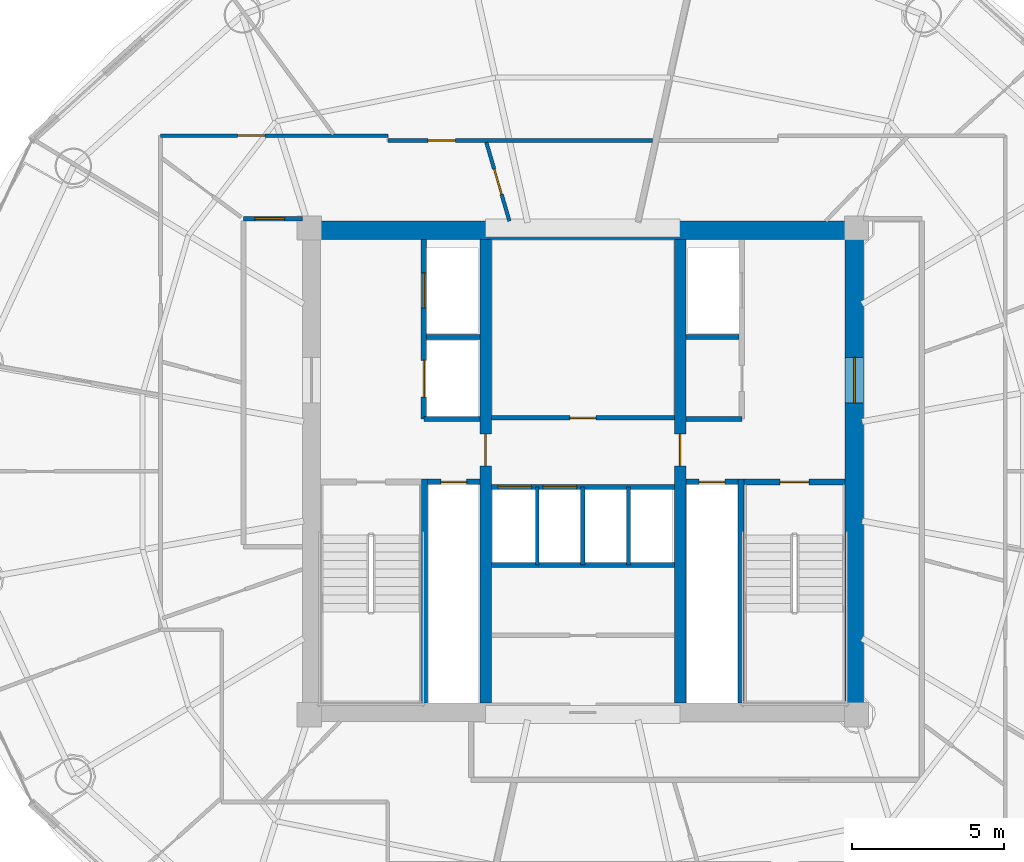
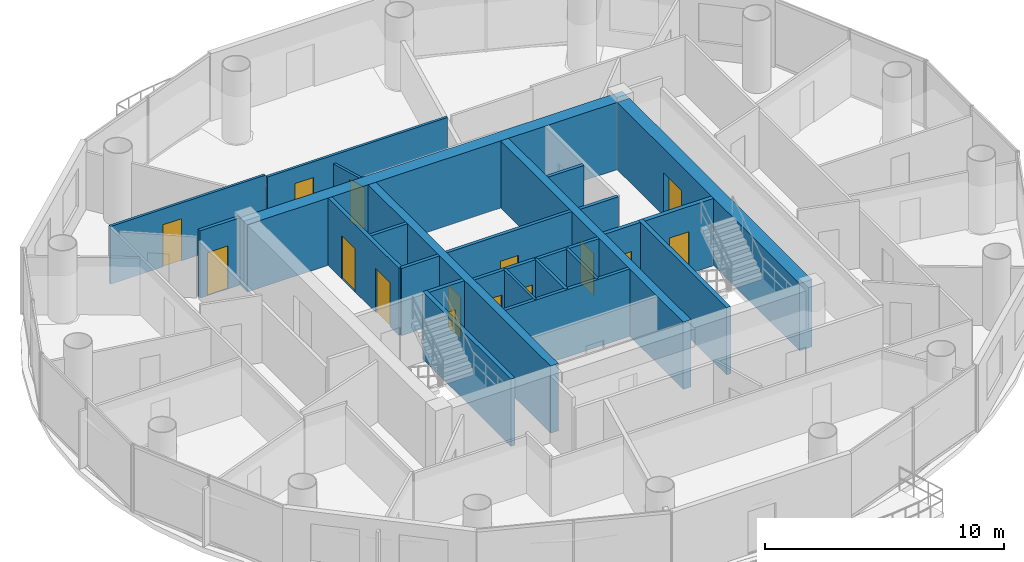
# One storey, part 21 of 26: 24 walls, 15 doors, 15 openings.
"""IFC4 building model written with IfcOpenShell, lengths in metres."""

from ifc_helpers import new_model, si_unit, direction, frame, frame_2d, origin, place, context, subcontext, project, spatial, rectangle, extrude, source, transform, mapped, material, layer, layer_set, type_object, element, fill, save


model = new_model("IFC4")

# Units and contexts
model_context = context("Model", 3, precision=1e-05, world=origin(), true_north=direction((-0.2419218956, 0.970295726276)))
body_context = subcontext(model_context, "Body", "Model", "MODEL_VIEW")
ifc_project = project(units=[si_unit("LENGTHUNIT", "METRE"), si_unit("AREAUNIT", "SQUARE_METRE"), si_unit("VOLUMEUNIT", "CUBIC_METRE"), si_unit("PLANEANGLEUNIT", "RADIAN"), si_unit("MASSUNIT", "GRAM", prefix="KILO")], contexts=[model_context])

# Site, building, storey
site_placement = place(None, origin())
site = spatial("IfcSite", under=ifc_project, at=site_placement, CompositionType="ELEMENT")
building_placement = place(site_placement, origin())
building = spatial("IfcBuilding", under=site, at=building_placement, Name="Cobrevalo Terracotta Tower", CompositionType="ELEMENT")
storey_placement = place(building_placement, frame((0.0, 0.0, 231.89990234375)))
storey = spatial("IfcBuildingStorey", under=building, at=storey_placement, Name="L61", CompositionType="ELEMENT", Elevation=231.89990234375)

# Wall
ifc_material_1 = material(Name="Concrete C55", Category="concrete")
ifc_layer_1 = layer(ifc_material_1, 0.60009765625)
ifc_layer_set_1 = layer_set([ifc_layer_1], Name="Concrete C55")
wall_type_1 = type_object("IfcWallType", Name="Core shear wall 600 mm Concrete C55", PredefinedType="SHEAR", material=ifc_layer_set_1)
wall_1_placement = place(storey_placement, frame((28.77490234375, 34.72509765625, 0.0), z_axis=(0.0, 0.0, 1.0), x_axis=(1.0, 0.0, 0.0)))
element("IfcWall", 1, at=wall_1_placement, inside=storey, type_object=wall_type_1, Name="L61 north core shear wall", PredefinedType="SHEAR", context=body_context, shape_type="SweptSolid", body=[
    extrude(rectangle(XDim=18.4501953125, YDim=0.60009765625, at=frame_2d((9.22509765625, 0.0))), origin(), (0.0, 0.0, 1.0), 3.43505859375),
])

# Wall, opening, door
wall_2_placement = place(storey_placement, frame((46.925048828125, 19.175048828125, 0.0), z_axis=(0.0, 0.0, 1.0), x_axis=(0.0, 1.0, 0.0)))
wall_2 = element("IfcWall", 2, at=wall_2_placement, inside=storey, type_object=wall_type_1, Name="L61 east core shear wall", PredefinedType="SHEAR", context=body_context, shape_type="SweptSolid", body=[
    extrude(rectangle(XDim=15.25, YDim=0.60009765625, at=frame_2d((7.625, 0.0))), origin(), (0.0, 0.0, 1.0), 3.43505859375),
])
opening_1_placement = place(wall_2_placement, frame((9.875, 0.0, 0.0)))
opening_1 = element("IfcOpeningElement", 3, at=opening_1_placement, cuts=wall_2, Name="Opening ID-14", PredefinedType="OPENING", context=body_context, shape_type="SweptSolid", body=[
    extrude(rectangle(XDim=1.5, YDim=2.199951171875, at=frame_2d((0.75, 1.10009765625))), frame((0.0, 0.31005859375, 0.0), z_axis=(0.0, -1.0, 0.0), x_axis=(1.0, 0.0, 0.0)), (0.0, 0.0, 1.0), 0.6201171875),
])
ifc_material_2 = material(Name="Galvanized fire-rated steel", Category="steel")
door_type_1 = type_object("IfcDoorType", Name="Core cross-lobby double fire door 1500x2200 EI 90", OperationType="NOTDEFINED", PredefinedType="DOOR", material=ifc_material_2)
shared_shape_1 = source(origin(), body_context, "Body", "SweptSolid", [
    extrude(rectangle(XDim=1.5, YDim=2.199951171875, at=frame_2d((0.75, 1.10009765625))), frame((0.0, 0.02490234375, 0.0), z_axis=(0.0, -1.0, 0.0), x_axis=(1.0, 0.0, 0.0)), (0.0, 0.0, 1.0), 0.050048828125),
])
door_1_placement = place(opening_1_placement, frame((1.5, 0.0, 0.0), z_axis=(0.0, 0.0, 1.0), x_axis=(-1.0, 0.0, 0.0)))
door_1 = element("IfcDoor", 4, at=door_1_placement, inside=storey, type_object=door_type_1, Name="L61 east firefighting lobby entrance door", OperationType="DOUBLE_DOOR_SINGLE_SWING", OverallHeight=2.199951171875, OverallWidth=1.5, PredefinedType="DOOR", context=body_context, shape_type="MappedRepresentation", body=[
    mapped(shared_shape_1, transform((0.0, 0.0, 0.0), scale=1.0)),
])
fill(opening_1, door_1)

# Walls
ifc_material_3 = material(Name="Gypsum board on steel stud", Category="steel")
ifc_layer_2 = layer(ifc_material_3, 0.159912109375)
ifc_layer_set_2 = layer_set([ifc_layer_2], Name="Gypsum board on steel stud")
wall_type_2 = type_object("IfcWallType", Name="Fire-rated corridor acoustic partition wall 160 mm", PredefinedType="PARTITIONING", material=ifc_layer_set_2)
wall_3_placement = place(storey_placement, frame((32.860107421875, 31.219970703125, 0.0), z_axis=(0.0, 0.0, 1.0), x_axis=(1.0, 0.0, 0.0)))
element("IfcWall", 5, at=wall_3_placement, inside=storey, type_object=wall_type_2, Name="L61 interior partition IW-L61-FF1-M", PredefinedType="PARTITIONING", context=body_context, shape_type="SweptSolid", body=[
    extrude(rectangle(XDim=1.75, YDim=0.159912109375, at=frame_2d((0.875, 0.0))), origin(), (0.0, 0.0, 1.0), 3.43505859375),
])
wall_4_placement = place(storey_placement, frame((32.77001953125, 28.52001953125, 0.0), z_axis=(0.0, 0.0, 1.0), x_axis=(1.0, 0.0, 0.0)))
element("IfcWall", 6, at=wall_4_placement, inside=storey, type_object=wall_type_2, Name="L61 interior partition IW-L61-FF1-S", PredefinedType="PARTITIONING", context=body_context, shape_type="SweptSolid", body=[
    extrude(rectangle(XDim=1.840087890625, YDim=0.159912109375, at=frame_2d((0.919921875, 0.0))), origin(), (0.0, 0.0, 1.0), 3.43505859375),
])
wall_5_placement = place(storey_placement, frame((41.389892578125, 31.219970703125, 0.0), z_axis=(0.0, 0.0, 1.0), x_axis=(1.0, 0.0, 0.0)))
element("IfcWall", 7, at=wall_5_placement, inside=storey, type_object=wall_type_2, Name="L61 interior partition IW-L61-FF2-M", PredefinedType="PARTITIONING", context=body_context, shape_type="SweptSolid", body=[
    extrude(rectangle(XDim=1.75, YDim=0.159912109375, at=frame_2d((0.875, 0.0))), origin(), (0.0, 0.0, 1.0), 3.43505859375),
])
wall_6_placement = place(storey_placement, frame((41.389892578125, 28.52001953125, 0.0), z_axis=(0.0, 0.0, 1.0), x_axis=(1.0, 0.0, 0.0)))
element("IfcWall", 8, at=wall_6_placement, inside=storey, type_object=wall_type_2, Name="L61 interior partition IW-L61-FF2-S", PredefinedType="PARTITIONING", context=body_context, shape_type="SweptSolid", body=[
    extrude(rectangle(XDim=1.840087890625, YDim=0.159912109375, at=frame_2d((0.919921875, 0.0))), origin(), (0.0, 0.0, 1.0), 3.43505859375),
])

# Wall, opening, door
wall_7_placement = place(storey_placement, frame((34.989990234375, 28.56005859375, 0.0), z_axis=(0.0, 0.0, 1.0), x_axis=(1.0, 0.0, 0.0)))
wall_7 = element("IfcWall", 9, at=wall_7_placement, inside=storey, type_object=wall_type_2, Name="L61 interior partition IW-L61-LB-S", PredefinedType="PARTITIONING", context=body_context, shape_type="SweptSolid", body=[
    extrude(rectangle(XDim=6.02001953125, YDim=0.159912109375, at=frame_2d((3.010009765625, 0.0))), origin(), (0.0, 0.0, 1.0), 3.43505859375),
])
opening_2_placement = place(wall_7_placement, frame((2.5849609375, 0.0, 0.0)))
opening_2 = element("IfcOpeningElement", 10, at=opening_2_placement, cuts=wall_7, Name="Opening ID-22", PredefinedType="OPENING", context=body_context, shape_type="SweptSolid", body=[
    extrude(rectangle(XDim=0.85009765625, YDim=2.10009765625, at=frame_2d((0.425048828125, 1.050048828125))), frame((0.0, 0.08984375, 0.0), z_axis=(0.0, -1.0, 0.0), x_axis=(1.0, 0.0, 0.0)), (0.0, 0.0, 1.0), 0.179931640625),
])
ifc_material_4 = material(Name="Powder-coated steel", Category="steel")
door_type_2 = type_object("IfcDoorType", Name="Riser shaft & meter closet fire access door 850x2100 EI 60", OperationType="NOTDEFINED", PredefinedType="DOOR", material=ifc_material_4)
shared_shape_2 = source(origin(), body_context, "Body", "SweptSolid", [
    extrude(rectangle(XDim=0.85009765625, YDim=2.10009765625, at=frame_2d((0.425048828125, 1.050048828125))), frame((0.0, 0.02490234375, 0.0), z_axis=(0.0, -1.0, 0.0), x_axis=(1.0, 0.0, 0.0)), (0.0, 0.0, 1.0), 0.050048828125),
])
door_2_placement = place(opening_2_placement, origin())
door_2 = element("IfcDoor", 11, at=door_2_placement, inside=storey, type_object=door_type_2, Name="L61 core service door Floor Electrical Switchroom", OperationType="SINGLE_SWING_LEFT", OverallHeight=2.10009765625, OverallWidth=0.85009765625, PredefinedType="DOOR", context=body_context, shape_type="MappedRepresentation", body=[
    mapped(shared_shape_2, transform((0.0, 0.0, 0.0), scale=1.0)),
])
fill(opening_2, door_2)

# Wall, openings, doors
wall_8_placement = place(storey_placement, frame((34.989990234375, 26.280029296875, 0.0), z_axis=(0.0, 0.0, 1.0), x_axis=(1.0, 0.0, 0.0)))
wall_8 = element("IfcWall", 12, at=wall_8_placement, inside=storey, type_object=wall_type_2, Name="L61 interior partition IW-L61-MB-N", PredefinedType="PARTITIONING", context=body_context, shape_type="SweptSolid", body=[
    extrude(rectangle(XDim=6.02001953125, YDim=0.159912109375, at=frame_2d((3.010009765625, 0.0))), origin(), (0.0, 0.0, 1.0), 3.43505859375),
])
opening_3_placement = place(wall_8_placement, frame((0.22509765625, 0.0, 0.0)))
opening_3 = element("IfcOpeningElement", 13, at=opening_3_placement, cuts=wall_8, Name="Opening LD-01", PredefinedType="OPENING", context=body_context, shape_type="SweptSolid", body=[
    extrude(rectangle(XDim=1.10009765625, YDim=2.199951171875, at=frame_2d((0.550048828125, 1.10009765625))), frame((0.0, 0.08984375, 0.0), z_axis=(0.0, -1.0, 0.0), x_axis=(1.0, 0.0, 0.0)), (0.0, 0.0, 1.0), 0.179931640625),
])
opening_4_placement = place(wall_8_placement, frame((1.705078125, 0.0, 0.0)))
opening_4 = element("IfcOpeningElement", 14, at=opening_4_placement, cuts=wall_8, Name="Opening LD-01", PredefinedType="OPENING", context=body_context, shape_type="SweptSolid", body=[
    extrude(rectangle(XDim=1.10009765625, YDim=2.199951171875, at=frame_2d((0.550048828125, 1.10009765625))), frame((0.0, 0.08984375, 0.0), z_axis=(0.0, -1.0, 0.0), x_axis=(1.0, 0.0, 0.0)), (0.0, 0.0, 1.0), 0.179931640625),
])
ifc_material_5 = material(Name="Brushed stainless steel", Category="steel")
door_type_3 = type_object("IfcDoorType", Name="Passenger lift landing bi-parting sliding door 1100x2200 EI 90", OperationType="DOUBLE_DOOR_SLIDING", PredefinedType="DOOR", material=ifc_material_5)
shared_shape_3 = source(origin(), body_context, "Body", "SweptSolid", [
    extrude(rectangle(XDim=1.10009765625, YDim=2.199951171875, at=frame_2d((0.550048828125, 1.10009765625))), frame((0.0, 0.02490234375, 0.0), z_axis=(0.0, -1.0, 0.0), x_axis=(1.0, 0.0, 0.0)), (0.0, 0.0, 1.0), 0.050048828125),
])
door_3_placement = place(opening_3_placement, origin())
door_3 = element("IfcDoor", 15, at=door_3_placement, inside=storey, type_object=door_type_3, Name="L61 lift landing door PL-M1", OperationType="DOUBLE_DOOR_SLIDING", OverallHeight=2.199951171875, OverallWidth=1.10009765625, PredefinedType="DOOR", context=body_context, shape_type="MappedRepresentation", body=[
    mapped(shared_shape_3, transform((0.0, 0.0, 0.0), scale=1.0)),
])
fill(opening_3, door_3)
door_4_placement = place(opening_4_placement, origin())
door_4 = element("IfcDoor", 16, at=door_4_placement, inside=storey, type_object=door_type_3, Name="L61 lift landing door PL-M2", OperationType="DOUBLE_DOOR_SLIDING", OverallHeight=2.199951171875, OverallWidth=1.10009765625, PredefinedType="DOOR", context=body_context, shape_type="MappedRepresentation", body=[
    mapped(shared_shape_3, transform((0.0, 0.0, 0.0), scale=1.0)),
])
fill(opening_4, door_4)

# Wall
wall_9_placement = place(storey_placement, frame((34.989990234375, 23.719970703125, 0.0), z_axis=(0.0, 0.0, 1.0), x_axis=(1.0, 0.0, 0.0)))
element("IfcWall", 17, at=wall_9_placement, inside=storey, type_object=wall_type_2, Name="L61 interior partition IW-L61-MB-S", PredefinedType="PARTITIONING", context=body_context, shape_type="SweptSolid", body=[
    extrude(rectangle(XDim=6.02001953125, YDim=0.159912109375, at=frame_2d((3.010009765625, 0.0))), origin(), (0.0, 0.0, 1.0), 3.43505859375),
])

# Wall, opening, door
wall_10_placement = place(storey_placement, frame((26.844970703125, 35.10498046875, 0.0), z_axis=(0.0, 0.0, 1.0), x_axis=(1.0, 0.0, 0.0)))
wall_10 = element("IfcWall", 18, at=wall_10_placement, inside=storey, type_object=wall_type_2, Name="L61 interior partition IW-L61-COR-WN-CAP", PredefinedType="PARTITIONING", context=body_context, shape_type="SweptSolid", body=[
    extrude(rectangle(XDim=1.929931640625, YDim=0.159912109375, at=frame_2d((0.96484375, 0.0))), origin(), (0.0, 0.0, 1.0), 3.43505859375),
])
opening_5_placement = place(wall_10_placement, frame((0.3701171875, 0.0, 0.0)))
opening_5 = element("IfcOpeningElement", 19, at=opening_5_placement, cuts=wall_10, Name="Opening ID-05", PredefinedType="OPENING", context=body_context, shape_type="SweptSolid", body=[
    extrude(rectangle(XDim=0.97998046875, YDim=2.199951171875, at=frame_2d((0.489990234375, 1.10009765625))), frame((0.0, 0.08984375, 0.0), z_axis=(0.0, -1.0, 0.0), x_axis=(1.0, 0.0, 0.0)), (0.0, 0.0, 1.0), 0.179931640625),
])
ifc_material_6 = material(Name="Solid hardwood timber", Category="wood")
door_type_4 = type_object("IfcDoorType", Name="Residence entrance fire-rated acoustic timber door 980x2200 EI 60", OperationType="NOTDEFINED", PredefinedType="DOOR", material=ifc_material_6)
shared_shape_4 = source(origin(), body_context, "Body", "SweptSolid", [
    extrude(rectangle(XDim=0.97998046875, YDim=2.199951171875, at=frame_2d((0.489990234375, 1.10009765625))), frame((0.0, 0.02490234375, 0.0), z_axis=(0.0, -1.0, 0.0), x_axis=(1.0, 0.0, 0.0)), (0.0, 0.0, 1.0), 0.050048828125),
])
door_5_placement = place(opening_5_placement, origin())
door_5 = element("IfcDoor", 20, at=door_5_placement, inside=storey, type_object=door_type_4, Name="Flat L61A fire-rated apartment entrance door", OperationType="SINGLE_SWING_RIGHT", OverallHeight=2.199951171875, OverallWidth=0.97998046875, PredefinedType="DOOR", context=body_context, shape_type="MappedRepresentation", body=[
    mapped(shared_shape_4, transform((0.0, 0.0, 0.0), scale=1.0)),
])
fill(opening_5, door_5)

ifc_layer_3 = layer(ifc_material_3, 0.179931640625)
ifc_layer_set_3 = layer_set([ifc_layer_3], Name="Gypsum board on steel stud")
wall_type_3 = type_object("IfcWallType", Name="Fire-rated shaft & lobby acoustic partition wall 180 mm", PredefinedType="PARTITIONING", material=ifc_layer_set_3)
wall_11_placement = place(storey_placement, frame((32.89990234375, 26.449951171875, 0.0), z_axis=(0.0, 0.0, 1.0), x_axis=(1.0, 0.0, 0.0)))
wall_11 = element("IfcWall", 21, at=wall_11_placement, inside=storey, type_object=wall_type_3, Name="L61 interior partition IW-L61-RSW-N", PredefinedType="PARTITIONING", context=body_context, shape_type="SweptSolid", body=[
    extrude(rectangle(XDim=1.710205078125, YDim=0.179931640625, at=frame_2d((0.85498046875, 0.0))), origin(), (0.0, 0.0, 1.0), 3.43505859375),
])
opening_6_placement = place(wall_11_placement, frame((0.429931640625, 0.0, 0.0)))
opening_6 = element("IfcOpeningElement", 22, at=opening_6_placement, cuts=wall_11, Name="Opening ID-22", PredefinedType="OPENING", context=body_context, shape_type="SweptSolid", body=[
    extrude(rectangle(XDim=0.85009765625, YDim=2.10009765625, at=frame_2d((0.425048828125, 1.050048828125))), frame((0.0, 0.10009765625, 0.0), z_axis=(0.0, -1.0, 0.0), x_axis=(1.0, 0.0, 0.0)), (0.0, 0.0, 1.0), 0.199951171875),
])
door_6_placement = place(opening_6_placement, origin())
door_6 = element("IfcDoor", 23, at=door_6_placement, inside=storey, type_object=door_type_2, Name="L61 riser access door RSW", OperationType="SINGLE_SWING_LEFT", OverallHeight=2.10009765625, OverallWidth=0.85009765625, PredefinedType="DOOR", context=body_context, shape_type="MappedRepresentation", body=[
    mapped(shared_shape_2, transform((0.0, 0.0, 0.0), scale=1.0)),
])
fill(opening_6, door_6)

wall_12_placement = place(storey_placement, frame((41.389892578125, 26.449951171875, 0.0), z_axis=(0.0, 0.0, 1.0), x_axis=(1.0, 0.0, 0.0)))
wall_12 = element("IfcWall", 24, at=wall_12_placement, inside=storey, type_object=wall_type_3, Name="L61 interior partition IW-L61-RSE-N", PredefinedType="PARTITIONING", context=body_context, shape_type="SweptSolid", body=[
    extrude(rectangle(XDim=1.710205078125, YDim=0.179931640625, at=frame_2d((0.85498046875, 0.0))), origin(), (0.0, 0.0, 1.0), 3.43505859375),
])
opening_7_placement = place(wall_12_placement, frame((0.429931640625, 0.0, 0.0)))
opening_7 = element("IfcOpeningElement", 25, at=opening_7_placement, cuts=wall_12, Name="Opening ID-22", PredefinedType="OPENING", context=body_context, shape_type="SweptSolid", body=[
    extrude(rectangle(XDim=0.85009765625, YDim=2.10009765625, at=frame_2d((0.425048828125, 1.050048828125))), frame((0.0, 0.10009765625, 0.0), z_axis=(0.0, -1.0, 0.0), x_axis=(1.0, 0.0, 0.0)), (0.0, 0.0, 1.0), 0.199951171875),
])
door_7_placement = place(opening_7_placement, origin())
door_7 = element("IfcDoor", 26, at=door_7_placement, inside=storey, type_object=door_type_2, Name="L61 riser access door RSE", OperationType="SINGLE_SWING_RIGHT", OverallHeight=2.10009765625, OverallWidth=0.85009765625, PredefinedType="DOOR", context=body_context, shape_type="MappedRepresentation", body=[
    mapped(shared_shape_2, transform((0.0, 0.0, 0.0), scale=1.0)),
])
fill(opening_7, door_7)

# Wall, openings, doors
wall_13_placement = place(storey_placement, frame((32.77001953125, 28.52001953125, 0.0), z_axis=(0.0, 0.0, 1.0), x_axis=(0.0, 1.0, 0.0)))
wall_13 = element("IfcWall", 27, at=wall_13_placement, inside=storey, type_object=wall_type_3, Name="L61 interior partition IW-L61-FF1-W", PredefinedType="PARTITIONING", context=body_context, shape_type="SweptSolid", body=[
    extrude(rectangle(XDim=5.905029296875, YDim=0.179931640625, at=frame_2d((2.95263671875, 0.0))), origin(), (0.0, 0.0, 1.0), 3.43505859375),
])
opening_8_placement = place(wall_13_placement, frame((3.655029296875, 0.0, 0.0)))
opening_8 = element("IfcOpeningElement", 28, at=opening_8_placement, cuts=wall_13, Name="Opening LD-02", PredefinedType="OPENING", context=body_context, shape_type="SweptSolid", body=[
    extrude(rectangle(XDim=1.14990234375, YDim=2.199951171875, at=frame_2d((0.574951171875, 1.10009765625))), frame((0.0, 0.10009765625, 0.0), z_axis=(0.0, -1.0, 0.0), x_axis=(1.0, 0.0, 0.0)), (0.0, 0.0, 1.0), 0.199951171875),
])
opening_9_placement = place(wall_13_placement, frame((0.72998046875, 0.0, 0.0)))
opening_9 = element("IfcOpeningElement", 29, at=opening_9_placement, cuts=wall_13, Name="Opening LD-03", PredefinedType="OPENING", context=body_context, shape_type="SweptSolid", body=[
    extrude(rectangle(XDim=1.199951171875, YDim=2.25, at=frame_2d((0.60009765625, 1.125))), frame((0.0, 0.10009765625, 0.0), z_axis=(0.0, -1.0, 0.0), x_axis=(1.0, 0.0, 0.0)), (0.0, 0.0, 1.0), 0.199951171875),
])
door_type_5 = type_object("IfcDoorType", Name="Firefighting lift landing bi-parting sliding door 1150x2200 EI 120", OperationType="DOUBLE_DOOR_SLIDING", PredefinedType="DOOR", material=ifc_material_5)
shared_shape_5 = source(origin(), body_context, "Body", "SweptSolid", [
    extrude(rectangle(XDim=1.14990234375, YDim=2.199951171875, at=frame_2d((0.574951171875, 1.10009765625))), frame((0.0, 0.02490234375, 0.0), z_axis=(0.0, -1.0, 0.0), x_axis=(1.0, 0.0, 0.0)), (0.0, 0.0, 1.0), 0.050048828125),
])
door_8_placement = place(opening_8_placement, origin())
door_8 = element("IfcDoor", 30, at=door_8_placement, inside=storey, type_object=door_type_5, Name="L61 lift landing door FF-1", OperationType="DOUBLE_DOOR_SLIDING", OverallHeight=2.199951171875, OverallWidth=1.14990234375, PredefinedType="DOOR", context=body_context, shape_type="MappedRepresentation", body=[
    mapped(shared_shape_5, transform((0.0, 0.0, 0.0), scale=1.0)),
])
fill(opening_8, door_8)
door_type_6 = type_object("IfcDoorType", Name="Service lift landing bi-parting sliding door 1200x2250 EI 120", OperationType="DOUBLE_DOOR_SLIDING", PredefinedType="DOOR", material=ifc_material_5)
shared_shape_6 = source(origin(), body_context, "Body", "SweptSolid", [
    extrude(rectangle(XDim=1.199951171875, YDim=2.25, at=frame_2d((0.60009765625, 1.125))), frame((0.0, 0.02490234375, 0.0), z_axis=(0.0, -1.0, 0.0), x_axis=(1.0, 0.0, 0.0)), (0.0, 0.0, 1.0), 0.050048828125),
])
door_9_placement = place(opening_9_placement, origin())
door_9 = element("IfcDoor", 31, at=door_9_placement, inside=storey, type_object=door_type_6, Name="L61 lift landing door SV-1", OperationType="DOUBLE_DOOR_SLIDING", OverallHeight=2.25, OverallWidth=1.199951171875, PredefinedType="DOOR", context=body_context, shape_type="MappedRepresentation", body=[
    mapped(shared_shape_6, transform((0.0, 0.0, 0.0), scale=1.0)),
])
fill(opening_9, door_9)

# Walls
ifc_material_7 = material(Name="Autoclaved aerated concrete block", Category="concrete")
ifc_layer_4 = layer(ifc_material_7, 0.1201171875)
ifc_layer_set_4 = layer_set([ifc_layer_4], Name="Autoclaved aerated concrete block")
wall_type_4 = type_object("IfcWallType", Name="Fire-rated wet-room & core service partition 120 mm", PredefinedType="PARTITIONING", material=ifc_layer_set_4)
for number, where, z_axis, x_axis, name in (
    (32, (36.5, 23.719970703125, 0.0), (0.0, 0.0, 1.0), (0.0, 1.0, 0.0), "L61 interior partition IW-L61-MB-D1"),
    (33, (39.5, 23.719970703125, 0.0), (0.0, 0.0, 1.0), (0.0, 1.0, 0.0), "L61 interior partition IW-L61-MB-D3"),
):
    element("IfcWall", number, at=place(storey_placement, frame(where, z_axis=z_axis, x_axis=x_axis)), inside=storey, type_object=wall_type_4, Name=name, PredefinedType="PARTITIONING", context=body_context, shape_type="SweptSolid", body=[
        extrude(rectangle(XDim=2.56005859375, YDim=0.1201171875, at=frame_2d((1.280029296875, 0.0))), origin(), (0.0, 0.0, 1.0), 3.43505859375),
    ])

# Wall, opening, door
ifc_material_8 = material(Name="Concrete C50", Category="concrete")
ifc_layer_5 = layer(ifc_material_8, 0.3798828125)
ifc_layer_set_5 = layer_set([ifc_layer_5], Name="Concrete C50")
wall_type_5 = type_object("IfcWallType", Name="Internal core shear web wall 380 mm Concrete C50", PredefinedType="SHEAR", material=ifc_layer_set_5)
wall_14_placement = place(storey_placement, frame((34.800048828125, 19.175048828125, 0.0), z_axis=(0.0, 0.0, 1.0), x_axis=(0.0, 1.0, 0.0)))
wall_14 = element("IfcWall", 34, at=wall_14_placement, inside=storey, type_object=wall_type_5, Name="L61 internal core shear wall WEB-W", PredefinedType="SHEAR", context=body_context, shape_type="SweptSolid", body=[
    extrude(rectangle(XDim=15.25, YDim=0.3798828125, at=frame_2d((7.625, 0.0))), origin(), (0.0, 0.0, 1.0), 3.43505859375),
])
opening_10_placement = place(wall_14_placement, frame((7.800048828125, 0.0, 0.0)))
opening_10 = element("IfcOpeningElement", 35, at=opening_10_placement, cuts=wall_14, Name="Opening ID-11", PredefinedType="OPENING", context=body_context, shape_type="SweptSolid", body=[
    extrude(rectangle(XDim=1.050048828125, YDim=2.14990234375, at=frame_2d((0.52490234375, 1.074951171875))), frame((0.0, 0.199951171875, 0.0), z_axis=(0.0, -1.0, 0.0), x_axis=(1.0, 0.0, 0.0)), (0.0, 0.0, 1.0), 0.39990234375),
])
door_type_7 = type_object("IfcDoorType", Name="Core concourse cross fire door 1050x2150 EI 90", OperationType="NOTDEFINED", PredefinedType="DOOR", material=ifc_material_2)
shared_shape_7 = source(origin(), body_context, "Body", "SweptSolid", [
    extrude(rectangle(XDim=1.050048828125, YDim=2.14990234375, at=frame_2d((0.52490234375, 1.074951171875))), frame((0.0, 0.02490234375, 0.0), z_axis=(0.0, -1.0, 0.0), x_axis=(1.0, 0.0, 0.0)), (0.0, 0.0, 1.0), 0.050048828125),
])
door_10_placement = place(opening_10_placement, origin())
door_10 = element("IfcDoor", 36, at=door_10_placement, inside=storey, type_object=door_type_7, Name="L61 west core concourse cross door", OperationType="SINGLE_SWING_LEFT", OverallHeight=2.14990234375, OverallWidth=1.050048828125, PredefinedType="DOOR", context=body_context, shape_type="MappedRepresentation", body=[
    mapped(shared_shape_7, transform((0.0, 0.0, 0.0), scale=1.0)),
])
fill(opening_10, door_10)

wall_15_placement = place(storey_placement, frame((41.199951171875, 19.175048828125, 0.0), z_axis=(0.0, 0.0, 1.0), x_axis=(0.0, 1.0, 0.0)))
wall_15 = element("IfcWall", 37, at=wall_15_placement, inside=storey, type_object=wall_type_5, Name="L61 internal core shear wall WEB-E", PredefinedType="SHEAR", context=body_context, shape_type="SweptSolid", body=[
    extrude(rectangle(XDim=15.25, YDim=0.3798828125, at=frame_2d((7.625, 0.0))), origin(), (0.0, 0.0, 1.0), 3.43505859375),
])
opening_11_placement = place(wall_15_placement, frame((7.800048828125, 0.0, 0.0)))
opening_11 = element("IfcOpeningElement", 38, at=opening_11_placement, cuts=wall_15, Name="Opening ID-11", PredefinedType="OPENING", context=body_context, shape_type="SweptSolid", body=[
    extrude(rectangle(XDim=1.050048828125, YDim=2.14990234375, at=frame_2d((0.52490234375, 1.074951171875))), frame((0.0, 0.199951171875, 0.0), z_axis=(0.0, -1.0, 0.0), x_axis=(1.0, 0.0, 0.0)), (0.0, 0.0, 1.0), 0.39990234375),
])
door_11_placement = place(opening_11_placement, frame((1.050048828125, 0.0, 0.0), z_axis=(0.0, 0.0, 1.0), x_axis=(-1.0, 0.0, 0.0)))
door_11 = element("IfcDoor", 39, at=door_11_placement, inside=storey, type_object=door_type_7, Name="L61 east core concourse cross door", OperationType="SINGLE_SWING_RIGHT", OverallHeight=2.14990234375, OverallWidth=1.050048828125, PredefinedType="DOOR", context=body_context, shape_type="MappedRepresentation", body=[
    mapped(shared_shape_7, transform((0.0, 0.0, 0.0), scale=1.0)),
])
fill(opening_11, door_11)

# Wall
ifc_layer_6 = layer(ifc_material_7, 0.139892578125)
ifc_layer_set_6 = layer_set([ifc_layer_6], Name="Autoclaved aerated concrete block")
wall_type_6 = type_object("IfcWallType", Name="Moisture-resistant wet-room & core service partition 140 mm", PredefinedType="PARTITIONING", material=ifc_layer_set_6)
wall_16_placement = place(storey_placement, frame((38.0, 23.719970703125, 0.0), z_axis=(0.0, 0.0, 1.0), x_axis=(0.0, 1.0, 0.0)))
element("IfcWall", 40, at=wall_16_placement, inside=storey, type_object=wall_type_6, Name="L61 interior partition IW-L61-MB-D2", PredefinedType="PARTITIONING", context=body_context, shape_type="SweptSolid", body=[
    extrude(rectangle(XDim=2.56005859375, YDim=0.139892578125, at=frame_2d((1.280029296875, 0.0))), origin(), (0.0, 0.0, 1.0), 3.43505859375),
])

# Wall, opening, door
ifc_layer_7 = layer(ifc_material_3, 0.1201171875)
ifc_layer_set_7 = layer_set([ifc_layer_7], Name="Gypsum board on steel stud")
wall_type_7 = type_object("IfcWallType", Name="Residential internal acoustic stud partition 120 mm", PredefinedType="PARTITIONING", material=ifc_layer_set_7)
wall_17_placement = place(storey_placement, frame((24.114990234375, 37.8349609375, 0.0), z_axis=(0.0, 0.0, 1.0), x_axis=(1.0, 0.0, 0.0)))
wall_17 = element("IfcWall", 41, at=wall_17_placement, inside=storey, type_object=wall_type_7, Name="L61 interior partition IW-L61-U1-RING6_0", PredefinedType="PARTITIONING", context=body_context, shape_type="SweptSolid", body=[
    extrude(rectangle(XDim=7.469970703125, YDim=0.1201171875, at=frame_2d((3.73486328125, 0.0))), origin(), (0.0, 0.0, 1.0), 2.951171875),
])
opening_12_placement = place(wall_17_placement, frame((2.53271484375, 0.0, 0.0)))
opening_12 = element("IfcOpeningElement", 42, at=opening_12_placement, cuts=wall_17, Name="Opening ID-12", PredefinedType="OPENING", context=body_context, shape_type="SweptSolid", body=[
    extrude(rectangle(XDim=0.89990234375, YDim=2.14990234375, at=frame_2d((0.449951171875, 1.074951171875))), frame((0.0, 0.070068359375, 0.0), z_axis=(0.0, -1.0, 0.0), x_axis=(1.0, 0.0, 0.0)), (0.0, 0.0, 1.0), 0.14013671875),
])
ifc_material_9 = material(Name="Engineered timber", Category="wood")
door_type_8 = type_object("IfcDoorType", Name="Internal residence & suite timber door 900x2150", OperationType="NOTDEFINED", PredefinedType="DOOR", material=ifc_material_9)
shared_shape_8 = source(origin(), body_context, "Body", "SweptSolid", [
    extrude(rectangle(XDim=0.89990234375, YDim=2.14990234375, at=frame_2d((0.449951171875, 1.074951171875))), frame((0.0, 0.02490234375, 0.0), z_axis=(0.0, -1.0, 0.0), x_axis=(1.0, 0.0, 0.0)), (0.0, 0.0, 1.0), 0.050048828125),
])
door_12_placement = place(opening_12_placement, origin())
door_12 = element("IfcDoor", 43, at=door_12_placement, inside=storey, type_object=door_type_8, Name="Flat L61A Master Bedroom internal door", OperationType="SINGLE_SWING_LEFT", OverallHeight=2.14990234375, OverallWidth=0.89990234375, PredefinedType="DOOR", context=body_context, shape_type="MappedRepresentation", body=[
    mapped(shared_shape_8, transform((0.0, 0.0, 0.0), scale=1.0)),
])
fill(opening_12, door_12)

wall_18_placement = place(storey_placement, frame((31.5849609375, 37.675048828125, 0.0), z_axis=(0.0, 0.0, 1.0), x_axis=(1.0, 0.0, 0.0)))
wall_18 = element("IfcWall", 44, at=wall_18_placement, inside=storey, type_object=wall_type_7, Name="L61 interior partition IW-L61-U1-RING8_0", PredefinedType="PARTITIONING", context=body_context, shape_type="SweptSolid", body=[
    extrude(rectangle(XDim=8.706787109375, YDim=0.1201171875, at=frame_2d((4.353515625, 0.0))), origin(), (0.0, 0.0, 1.0), 2.951171875),
])
opening_13_placement = place(wall_18_placement, frame((1.3271484375, 0.0, 0.0)))
opening_13 = element("IfcOpeningElement", 45, at=opening_13_placement, cuts=wall_18, Name="Opening ID-12", PredefinedType="OPENING", context=body_context, shape_type="SweptSolid", body=[
    extrude(rectangle(XDim=0.89990234375, YDim=2.14990234375, at=frame_2d((0.449951171875, 1.074951171875))), frame((0.0, 0.070068359375, 0.0), z_axis=(0.0, -1.0, 0.0), x_axis=(1.0, 0.0, 0.0)), (0.0, 0.0, 1.0), 0.14013671875),
])
door_13_placement = place(opening_13_placement, origin())
door_13 = element("IfcDoor", 46, at=door_13_placement, inside=storey, type_object=door_type_8, Name="Flat L61A Penthouse Living and Dining Room internal door", OperationType="SINGLE_SWING_RIGHT", OverallHeight=2.14990234375, OverallWidth=0.89990234375, PredefinedType="DOOR", context=body_context, shape_type="MappedRepresentation", body=[
    mapped(shared_shape_8, transform((0.0, 0.0, 0.0), scale=1.0)),
])
fill(opening_13, door_13)

wall_19_placement = place(storey_placement, frame((35.586181640625, 35.02685546875, 0.0), z_axis=(0.0, 0.0, 1.0), x_axis=(-0.281539118681, 0.959549751004, 0.0)))
wall_19 = element("IfcWall", 47, at=wall_19_placement, inside=storey, type_object=wall_type_7, Name="L61 interior partition IW-L61-U1-IRAD1", PredefinedType="PARTITIONING", context=body_context, shape_type="SweptSolid", body=[
    extrude(rectangle(XDim=2.69775390625, YDim=0.1201171875, at=frame_2d((1.348876953125, 0.0))), origin(), (0.0, 0.0, 1.0), 2.52001953125),
])
opening_14_placement = place(wall_19_placement, frame((0.9189453125, 0.0, 0.0)))
opening_14 = element("IfcOpeningElement", 48, at=opening_14_placement, cuts=wall_19, Name="Opening ID-19", PredefinedType="OPENING", context=body_context, shape_type="SweptSolid", body=[
    extrude(rectangle(XDim=0.860107421875, YDim=2.14990234375, at=frame_2d((0.43017578125, 1.074951171875))), frame((0.0, 0.070068359375, 0.0), z_axis=(0.0, -1.0, 0.0), x_axis=(1.0, 0.0, 0.0)), (0.0, 0.0, 1.0), 0.14013671875),
])
ifc_material_10 = material(Name="Moisture-sealed timber", Category="wood")
door_type_9 = type_object("IfcDoorType", Name="Suite bathroom internal timber door 860x2150", OperationType="NOTDEFINED", PredefinedType="DOOR", material=ifc_material_10)
shared_shape_9 = source(origin(), body_context, "Body", "SweptSolid", [
    extrude(rectangle(XDim=0.860107421875, YDim=2.14990234375, at=frame_2d((0.43017578125, 1.074951171875))), frame((0.0, 0.02490234375, 0.0), z_axis=(0.0, -1.0, 0.0), x_axis=(1.0, 0.0, 0.0)), (0.0, 0.0, 1.0), 0.050048828125),
])
door_14_placement = place(opening_14_placement, frame((0.860107421875, 0.0, 0.0), z_axis=(0.0, 0.0, 1.0), x_axis=(-1.0, 0.0, 0.0)))
door_14 = element("IfcDoor", 49, at=door_14_placement, inside=storey, type_object=door_type_9, Name="Flat L61A Primary Bathroom internal door", OperationType="SINGLE_SWING_LEFT", OverallHeight=2.14990234375, OverallWidth=0.860107421875, PredefinedType="DOOR", context=body_context, shape_type="MappedRepresentation", body=[
    mapped(shared_shape_9, transform((0.0, 0.0, 0.0), scale=1.0)),
])
fill(opening_14, door_14)

# Walls
ifc_layer_8 = layer(ifc_material_8, 0.199951171875)
ifc_layer_set_8 = layer_set([ifc_layer_8], Name="Concrete C50")
wall_type_8 = type_object("IfcWallType", Name="Structural core & podium stair-shaft RC wall 200 mm Concrete C50", PredefinedType="SOLIDWALL", material=ifc_layer_set_8)
for number, where, z_axis, x_axis, name in (
    (50, (32.794921875, 19.175048828125, 0.0), (0.0, 0.0, 1.0), (0.0, 1.0, 0.0), "L61 ST-1 east structural shaft wall"),
    (51, (43.205078125, 19.175048828125, 0.0), (0.0, 0.0, 1.0), (0.0, 1.0, 0.0), "L61 ST-2 west structural shaft wall"),
):
    element("IfcWall", number, at=place(storey_placement, frame(where, z_axis=z_axis, x_axis=x_axis)), inside=storey, type_object=wall_type_8, Name=name, PredefinedType="SOLIDWALL", context=body_context, shape_type="SweptSolid", body=[
        extrude(rectangle(XDim=7.375, YDim=0.199951171875, at=frame_2d((3.6875, 0.0))), origin(), (0.0, 0.0, 1.0), 3.43505859375),
    ])

# Wall, opening, door
wall_20_placement = place(storey_placement, frame((43.304931640625, 26.449951171875, 0.0), z_axis=(0.0, 0.0, 1.0), x_axis=(1.0, 0.0, 0.0)))
wall_20 = element("IfcWall", 52, at=wall_20_placement, inside=storey, type_object=wall_type_8, Name="L61 ST-2 north structural shaft wall", PredefinedType="SOLIDWALL", context=body_context, shape_type="SweptSolid", body=[
    extrude(rectangle(XDim=3.320068359375, YDim=0.199951171875, at=frame_2d((1.66015625, 0.0))), origin(), (0.0, 0.0, 1.0), 3.43505859375),
])
opening_15_placement = place(wall_20_placement, frame((1.18505859375, 0.0, 0.0)))
opening_15 = element("IfcOpeningElement", 53, at=opening_15_placement, cuts=wall_20, Name="Opening ID-04", PredefinedType="OPENING", context=body_context, shape_type="SweptSolid", body=[
    extrude(rectangle(XDim=0.949951171875, YDim=2.14990234375, at=frame_2d((0.47509765625, 1.074951171875))), frame((0.0, 0.10986328125, 0.0), z_axis=(0.0, -1.0, 0.0), x_axis=(1.0, 0.0, 0.0)), (0.0, 0.0, 1.0), 0.219970703125),
])
door_type_10 = type_object("IfcDoorType", Name="Stair & firefighting lobby fire door 950x2150 EI 90", OperationType="NOTDEFINED", PredefinedType="DOOR", material=ifc_material_2)
shared_shape_10 = source(origin(), body_context, "Body", "SweptSolid", [
    extrude(rectangle(XDim=0.949951171875, YDim=2.14990234375, at=frame_2d((0.47509765625, 1.074951171875))), frame((0.0, 0.02490234375, 0.0), z_axis=(0.0, -1.0, 0.0), x_axis=(1.0, 0.0, 0.0)), (0.0, 0.0, 1.0), 0.050048828125),
])
door_15_placement = place(opening_15_placement, frame((0.949951171875, 0.0, 0.0), z_axis=(0.0, 0.0, 1.0), x_axis=(-1.0, 0.0, 0.0)))
door_15 = element("IfcDoor", 54, at=door_15_placement, inside=storey, type_object=door_type_10, Name="L61 protected stair ST2 fire door", OperationType="SINGLE_SWING_RIGHT", OverallHeight=2.14990234375, OverallWidth=0.949951171875, PredefinedType="DOOR", context=body_context, shape_type="MappedRepresentation", body=[
    mapped(shared_shape_10, transform((0.0, 0.0, 0.0), scale=1.0)),
])
fill(opening_15, door_15)

save(model, "model.ifc")
